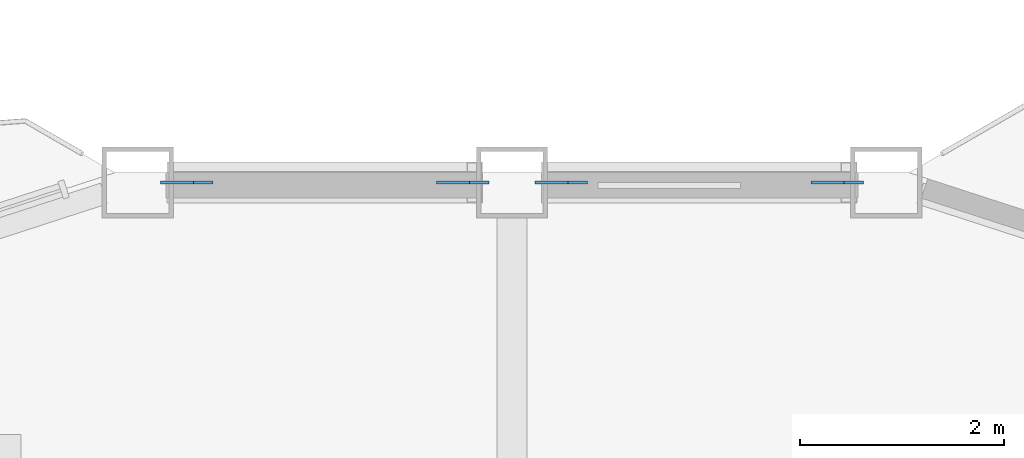
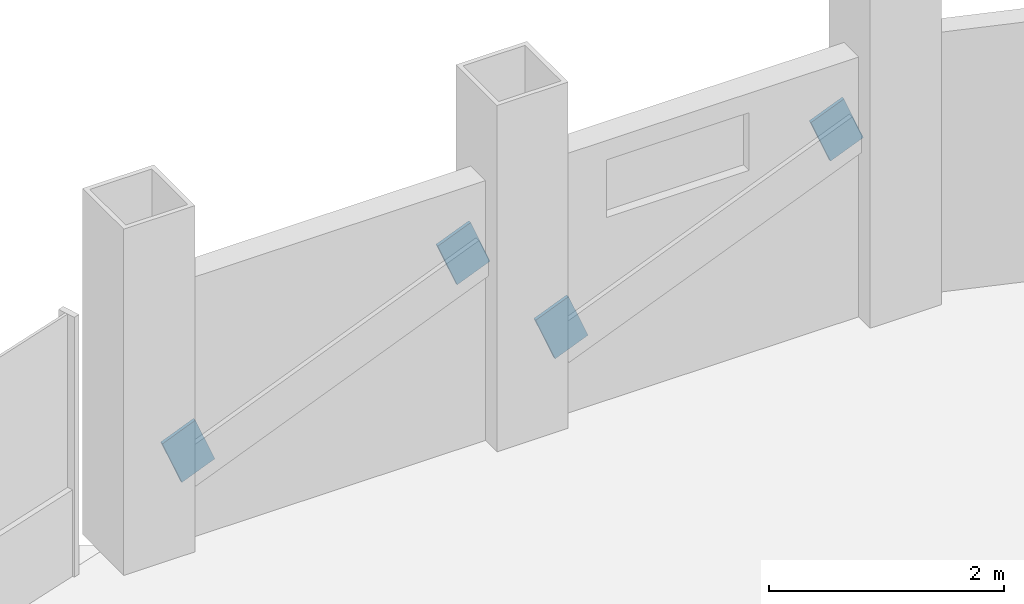
# One storey, part 18 of 23: 4 discrete accessories.
"""IFC4 building model written with IfcOpenShell, lengths in metres."""

from ifc_helpers import new_model, si_unit, direction, frame, origin, origin_2d, place, context, subcontext, project, spatial, rectangle, extrude, material, material_profile, profile_set, type_object, element, save


model = new_model("IFC4")

# Units and contexts
model_context = context("Model", 3, precision=1e-05, world=origin(), true_north=direction((0.0, 1.0)))
body_context = subcontext(model_context, "Body", "Model", "MODEL_VIEW")
ifc_project = project(units=[si_unit("LENGTHUNIT", "METRE"), si_unit("AREAUNIT", "SQUARE_METRE"), si_unit("VOLUMEUNIT", "CUBIC_METRE"), si_unit("PLANEANGLEUNIT", "RADIAN"), si_unit("MASSUNIT", "GRAM", prefix="KILO")], contexts=[model_context])

# Site, building, storey
site_placement = place(None, origin())
site = spatial("IfcSite", under=ifc_project, at=site_placement, CompositionType="ELEMENT")
building_placement = place(site_placement, origin())
building = spatial("IfcBuilding", under=site, at=building_placement, Name="Cormorant Prow Tower", CompositionType="ELEMENT")
storey_placement = place(building_placement, frame((0.0, 0.0, 267.0)))
storey = spatial("IfcBuildingStorey", under=building, at=storey_placement, Name="L60", CompositionType="ELEMENT", Elevation=267.0)

# Discrete accessories
ifc_material = material(Name="Structural steel ASTM A500 Gr C", Category="steel")
ifc_material_profile = material_profile(ifc_material, rectangle(XDim=0.031982421875, YDim=0.506103515625, at=origin_2d()), Name="Gusset plate 32x506")
ifc_profile_set = profile_set([ifc_material_profile], Name="Structural steel ASTM A500 Gr C")
discrete_accessory_type = type_object("IfcDiscreteAccessoryType", Name="Gusset plate 32x506", PredefinedType="BRACKET", material=ifc_profile_set)
discrete_accessory_1_placement = place(storey_placement, frame((0.643310546875, 32.073486328125, 0.863037109375), z_axis=(-0.925513623242, 0.0, -0.378714316067), x_axis=(0.0, -1.0, 0.0)))
element("IfcDiscreteAccessory", 1, at=discrete_accessory_1_placement, inside=storey, type_object=discrete_accessory_type, Name="Gusset plate GP2 L60.N00.g0", PredefinedType="BRACKET", context=body_context, shape_type="SweptSolid", body=[
    extrude(rectangle(XDim=0.031982421875, YDim=0.506103515625, at=origin_2d()), origin(), (0.0, 0.0, 1.0), 0.35009765625),
])
discrete_accessory_2_placement = place(storey_placement, frame((3.027099609375, 32.073486328125, 1.837890625), z_axis=(0.925757954086, 0.0, 0.378116662483), x_axis=(0.0, 1.0, 0.0)))
element("IfcDiscreteAccessory", 2, at=discrete_accessory_2_placement, inside=storey, type_object=discrete_accessory_type, Name="Gusset plate GP2 L60.N00.g1", PredefinedType="BRACKET", context=body_context, shape_type="SweptSolid", body=[
    extrude(rectangle(XDim=0.031982421875, YDim=0.506103515625, at=origin_2d()), origin(), (0.0, 0.0, 1.0), 0.349853515625),
])
discrete_accessory_3_placement = place(storey_placement, frame((-3.027099609375, 32.073486328125, 0.863037109375), z_axis=(-0.925513623242, 0.0, -0.378714316067), x_axis=(0.0, -1.0, 0.0)))
element("IfcDiscreteAccessory", 3, at=discrete_accessory_3_placement, inside=storey, type_object=discrete_accessory_type, Name="Gusset plate GP2 L60.N01.g0", PredefinedType="BRACKET", context=body_context, shape_type="SweptSolid", body=[
    extrude(rectangle(XDim=0.031982421875, YDim=0.506103515625, at=origin_2d()), origin(), (0.0, 0.0, 1.0), 0.35009765625),
])
discrete_accessory_4_placement = place(storey_placement, frame((-0.643310546875, 32.073486328125, 1.837890625), z_axis=(0.925757954086, 0.0, 0.378116662483), x_axis=(0.0, 1.0, 0.0)))
element("IfcDiscreteAccessory", 4, at=discrete_accessory_4_placement, inside=storey, type_object=discrete_accessory_type, Name="Gusset plate GP2 L60.N01.g1", PredefinedType="BRACKET", context=body_context, shape_type="SweptSolid", body=[
    extrude(rectangle(XDim=0.031982421875, YDim=0.506103515625, at=origin_2d()), origin(), (0.0, 0.0, 1.0), 0.349853515625),
])

save(model, "model.ifc")
